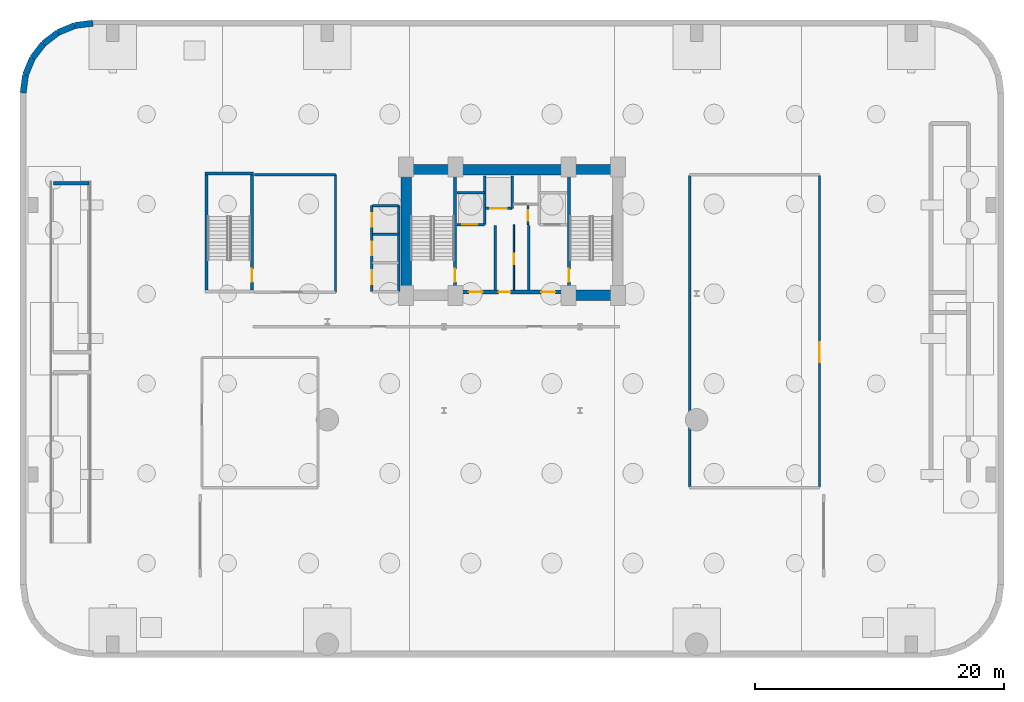
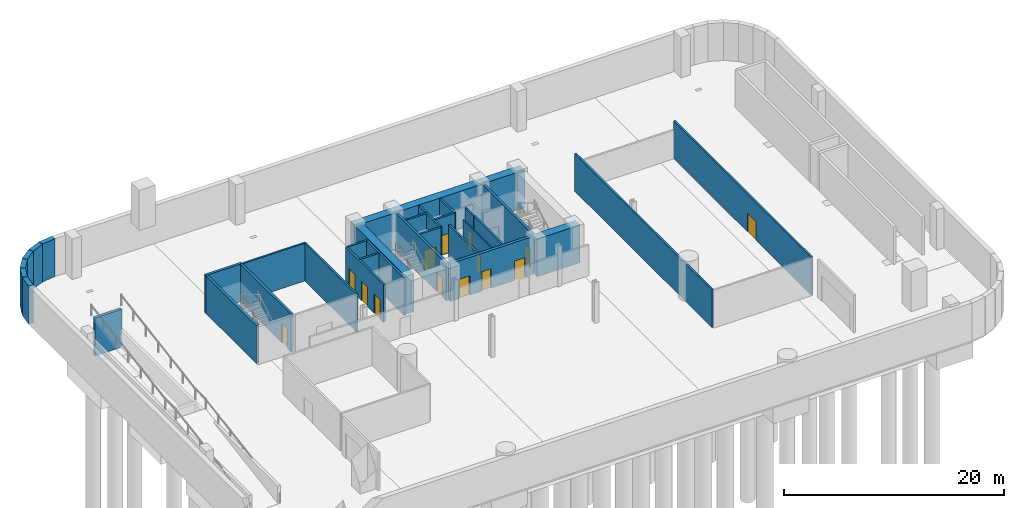
# One storey, part 3 of 8: 33 walls, 14 doors, 14 openings.
"""IFC4 building model written with IfcOpenShell, lengths in metres."""

from ifc_helpers import new_model, si_unit, direction, frame, frame_2d, origin, place, context, subcontext, project, spatial, rectangle, extrude, material, layer, layer_set, type_object, element, fill, save


model = new_model("IFC4")

# Units and contexts
model_context = context("Model", 3, precision=1e-05, world=origin(), true_north=direction((0.0, 1.0)))
body_context = subcontext(model_context, "Body", "Model", "MODEL_VIEW")
ifc_project = project(units=[si_unit("LENGTHUNIT", "METRE"), si_unit("AREAUNIT", "SQUARE_METRE"), si_unit("VOLUMEUNIT", "CUBIC_METRE"), si_unit("PLANEANGLEUNIT", "RADIAN"), si_unit("MASSUNIT", "GRAM", prefix="KILO")], contexts=[model_context])

# Site, building, storey
site_placement = place(None, origin())
site = spatial("IfcSite", under=ifc_project, at=site_placement, CompositionType="ELEMENT")
building_placement = place(site_placement, origin())
building = spatial("IfcBuilding", under=site, at=building_placement, Name="Varnelok Gate Tower", CompositionType="ELEMENT")
storey_placement = place(building_placement, frame((0.0, 0.0, -9.0)))
storey = spatial("IfcBuildingStorey", under=building, at=storey_placement, Name="B02", CompositionType="ELEMENT", Elevation=-9.0)

# Walls
ifc_material_1 = material(Name="Gypsum Plasterboard Acoustic Partition", Category="gypsum")
ifc_layer_1 = layer(ifc_material_1, 0.179931640625)
ifc_layer_set_1 = layer_set([ifc_layer_1], Name="Gypsum Plasterboard Acoustic Partition")
wall_type_1 = type_object("IfcWallType", Name="PW-CORR-180", PredefinedType="PARTITIONING", material=ifc_layer_set_1)
wall_1_placement = place(storey_placement, frame((25.050048828125, 29.02001953125, 0.0), z_axis=(0.0, 0.0, 1.0), x_axis=(0.0, 1.0, 0.0)))
element("IfcWall", 1, at=wall_1_placement, inside=storey, type_object=wall_type_1, Name="Interior Partition", PredefinedType="PARTITIONING", context=body_context, shape_type="SweptSolid", body=[
    extrude(rectangle(XDim=9.429931640625, YDim=0.179931640625, at=frame_2d((4.71484375, 0.0))), origin(), (0.0, 0.0, 1.0), 4.199951171875),
])
wall_2_placement = place(storey_placement, frame((18.550048828125, 38.449951171875, 0.0), z_axis=(0.0, 0.0, 1.0), x_axis=(1.0, 0.0, 0.0)))
element("IfcWall", 2, at=wall_2_placement, inside=storey, type_object=wall_type_1, Name="Interior Partition", PredefinedType="PARTITIONING", context=body_context, shape_type="SweptSolid", body=[
    extrude(rectangle(XDim=6.5, YDim=0.179931640625, at=frame_2d((3.25, 0.0))), origin(), (0.0, 0.0, 1.0), 4.199951171875),
])

# Wall, opening, door
wall_3_placement = place(storey_placement, frame((63.85009765625, 13.39990234375, 0.0), z_axis=(0.0, 0.0, 1.0), x_axis=(0.0, 1.0, 0.0)))
wall_3 = element("IfcWall", 3, at=wall_3_placement, inside=storey, type_object=wall_type_1, Name="Interior Partition", PredefinedType="PARTITIONING", context=body_context, shape_type="SweptSolid", body=[
    extrude(rectangle(XDim=25.0, YDim=0.179931640625, at=frame_2d((12.5, 0.0))), origin(), (0.0, 0.0, 1.0), 4.199951171875),
])
opening_1_placement = place(wall_3_placement, frame((10.0, 0.0, 0.0)))
opening_1 = element("IfcOpeningElement", 4, at=opening_1_placement, cuts=wall_3, Name="Opening D-PL", PredefinedType="OPENING", context=body_context, shape_type="SweptSolid", body=[
    extrude(rectangle(XDim=1.60009765625, YDim=2.050048828125, at=frame_2d((0.800048828125, 1.02490234375))), frame((0.0, 0.099853515625, 0.0), z_axis=(0.0, -1.0, 0.0), x_axis=(1.0, 0.0, 0.0)), (0.0, 0.0, 1.0), 0.199951171875),
])
ifc_material_2 = material(Name="Galvanized Steel Grade S350GD", Category="steel")
door_type_1 = type_object("IfcDoorType", Name="DR-PLANT-1600", OperationType="DOUBLE_DOOR_SINGLE_SWING", PredefinedType="DOOR", material=ifc_material_2)
door_1_placement = place(opening_1_placement, origin())
door_1 = element("IfcDoor", 5, at=door_1_placement, inside=storey, type_object=door_type_1, Name="B02 Chiller Plant Door", OperationType="DOUBLE_DOOR_SINGLE_SWING", OverallHeight=2.050048828125, OverallWidth=1.60009765625, PredefinedType="DOOR", context=body_context, shape_type="SweptSolid", body=[
    extrude(rectangle(XDim=1.60009765625, YDim=2.050048828125, at=frame_2d((0.800048828125, 1.02490234375))), frame((0.0, 0.02490234375, 0.0), z_axis=(0.0, -1.0, 0.0), x_axis=(1.0, 0.0, 0.0)), (0.0, 0.0, 1.0), 0.050048828125),
])
fill(opening_1, door_1)

# Wall
wall_4_placement = place(storey_placement, frame((53.449951171875, 13.39990234375, 0.0), z_axis=(0.0, 0.0, 1.0), x_axis=(0.0, 1.0, 0.0)))
element("IfcWall", 6, at=wall_4_placement, inside=storey, type_object=wall_type_1, Name="Interior Partition", PredefinedType="PARTITIONING", context=body_context, shape_type="SweptSolid", body=[
    extrude(rectangle(XDim=25.0, YDim=0.179931640625, at=frame_2d((12.5, 0.0))), origin(), (0.0, 0.0, 1.0), 4.199951171875),
])

# Wall, opening, door
ifc_layer_2 = layer(ifc_material_1, 0.125)
ifc_layer_set_2 = layer_set([ifc_layer_2], Name="Gypsum Plasterboard Acoustic Partition")
wall_type_2 = type_object("IfcWallType", Name="PW-PART-125", PredefinedType="PARTITIONING", material=ifc_layer_set_2)
wall_5_placement = place(storey_placement, frame((39.35009765625, 29.199951171875, 0.0), z_axis=(0.0, 0.0, 1.0), x_axis=(0.0, 1.0, 0.0)))
wall_5 = element("IfcWall", 7, at=wall_5_placement, inside=storey, type_object=wall_type_2, Name="Interior Partition", PredefinedType="PARTITIONING", context=body_context, shape_type="SweptSolid", body=[
    extrude(rectangle(XDim=5.219970703125, YDim=0.125, at=frame_2d((2.60986328125, 0.0))), origin(), (0.0, 0.0, 1.0), 4.199951171875),
])
opening_2_placement = place(wall_5_placement, frame((2.050048828125, 0.0, 0.0)))
opening_2 = element("IfcOpeningElement", 8, at=opening_2_placement, cuts=wall_5, Name="Opening D-RS", PredefinedType="OPENING", context=body_context, shape_type="SweptSolid", body=[
    extrude(rectangle(XDim=0.85009765625, YDim=2.050048828125, at=frame_2d((0.425048828125, 1.02490234375))), frame((0.0, 0.072509765625, 0.0), z_axis=(0.0, -1.0, 0.0), x_axis=(1.0, 0.0, 0.0)), (0.0, 0.0, 1.0), 0.14501953125),
])
door_type_2 = type_object("IfcDoorType", Name="DR-RISER-850", OperationType="NOTDEFINED", PredefinedType="DOOR", material=ifc_material_2)
door_2_placement = place(opening_2_placement, origin())
door_2 = element("IfcDoor", 9, at=door_2_placement, inside=storey, type_object=door_type_2, Name="B02 Housekeeping Linen Door", OperationType="SINGLE_SWING_RIGHT", OverallHeight=2.050048828125, OverallWidth=0.85009765625, PredefinedType="DOOR", context=body_context, shape_type="SweptSolid", body=[
    extrude(rectangle(XDim=0.85009765625, YDim=2.050048828125, at=frame_2d((0.425048828125, 1.02490234375))), frame((0.0, 0.02490234375, 0.0), z_axis=(0.0, -1.0, 0.0), x_axis=(1.0, 0.0, 0.0)), (0.0, 0.0, 1.0), 0.050048828125),
])
fill(opening_2, door_2)

ifc_layer_3 = layer(ifc_material_1, 0.14990234375)
ifc_layer_set_3 = layer_set([ifc_layer_3], Name="Gypsum Plasterboard Acoustic Partition")
wall_type_3 = type_object("IfcWallType", Name="PW-PART-150", PredefinedType="PARTITIONING", material=ifc_layer_set_3)
wall_6_placement = place(storey_placement, frame((40.47998046875, 34.43994140625, 0.0), z_axis=(0.0, 0.0, 1.0), x_axis=(0.0, 1.0, 0.0)))
wall_6 = element("IfcWall", 10, at=wall_6_placement, inside=storey, type_object=wall_type_3, Name="B02 Telecoms Closet West Wall", PredefinedType="PARTITIONING", context=body_context, shape_type="SweptSolid", body=[
    extrude(rectangle(XDim=1.52001953125, YDim=0.14990234375, at=frame_2d((0.760009765625, 0.0))), origin(), (0.0, 0.0, 1.0), 4.199951171875),
])
opening_3_placement = place(wall_6_placement, frame((0.320068359375, 0.0, 0.0)))
opening_3 = element("IfcOpeningElement", 11, at=opening_3_placement, cuts=wall_6, Name="Opening D-RS", PredefinedType="OPENING", context=body_context, shape_type="SweptSolid", body=[
    extrude(rectangle(XDim=0.85009765625, YDim=2.050048828125, at=frame_2d((0.425048828125, 1.02490234375))), frame((0.0, 0.0849609375, 0.0), z_axis=(0.0, -1.0, 0.0), x_axis=(1.0, 0.0, 0.0)), (0.0, 0.0, 1.0), 0.169921875),
])
door_3_placement = place(opening_3_placement, origin())
door_3 = element("IfcDoor", 12, at=door_3_placement, inside=storey, type_object=door_type_2, Name="B02 Telecoms Closet Door", OperationType="SINGLE_SWING_LEFT", OverallHeight=2.050048828125, OverallWidth=0.85009765625, PredefinedType="DOOR", context=body_context, shape_type="SweptSolid", body=[
    extrude(rectangle(XDim=0.85009765625, YDim=2.050048828125, at=frame_2d((0.425048828125, 1.02490234375))), frame((0.0, 0.02490234375, 0.0), z_axis=(0.0, -1.0, 0.0), x_axis=(1.0, 0.0, 0.0)), (0.0, 0.0, 1.0), 0.050048828125),
])
fill(opening_3, door_3)

# Walls
ifc_material_3 = material(Name="Concrete C35/45", Category="concrete")
ifc_layer_4 = layer(ifc_material_3, 0.199951171875)
ifc_layer_set_4 = layer_set([ifc_layer_4], Name="Concrete C35/45")
wall_type_4 = type_object("IfcWallType", Name="PW-SHAFT-200", PredefinedType="PARTITIONING", material=ifc_layer_set_4)
for number, where, z_axis, x_axis, name in (
    (13, (37.860107421875, 29.199951171875, 0.0), (0.0, 0.0, 1.0), (0.0, 1.0, 0.0), "B02 West FF Lobby Rated Wall"),
    (14, (40.5400390625, 29.199951171875, 0.0), (0.0, 0.0, 1.0), (0.0, 1.0, 0.0), "B02 East FF Lobby Rated Wall"),
):
    element("IfcWall", number, at=place(storey_placement, frame(where, z_axis=z_axis, x_axis=x_axis)), inside=storey, type_object=wall_type_4, Name=name, PredefinedType="PARTITIONING", context=body_context, shape_type="SweptSolid", body=[
        extrude(rectangle(XDim=5.179931640625, YDim=0.199951171875, at=frame_2d((2.58984375, 0.0))), origin(), (0.0, 0.0, 1.0), 4.199951171875),
    ])

# Wall, opening, door
wall_7_placement = place(storey_placement, frame((34.800048828125, 34.43994140625, 0.0), z_axis=(0.0, 0.0, 1.0), x_axis=(1.0, 0.0, 0.0)))
wall_7 = element("IfcWall", 15, at=wall_7_placement, inside=storey, type_object=wall_type_4, Name="B02 FF1 Shaft Front Wall", PredefinedType="PARTITIONING", context=body_context, shape_type="SweptSolid", body=[
    extrude(rectangle(XDim=2.179931640625, YDim=0.199951171875, at=frame_2d((1.08984375, 0.0))), origin(), (0.0, 0.0, 1.0), 4.199951171875),
])
opening_4_placement = place(wall_7_placement, frame((0.419921875, 0.0, 0.0)))
opening_4 = element("IfcOpeningElement", 16, at=opening_4_placement, cuts=wall_7, Name="Opening LD-FF1", PredefinedType="OPENING", context=body_context, shape_type="SweptSolid", body=[
    extrude(rectangle(XDim=1.199951171875, YDim=2.199951171875, at=frame_2d((0.60009765625, 1.10009765625))), frame((0.0, 0.10986328125, 0.0), z_axis=(0.0, -1.0, 0.0), x_axis=(1.0, 0.0, 0.0)), (0.0, 0.0, 1.0), 0.219970703125),
])
door_type_3 = type_object("IfcDoorType", Name="DR-LIFT-FF1200", OperationType="SLIDING_TO_LEFT", PredefinedType="DOOR", material=ifc_material_2)
door_4_placement = place(opening_4_placement, origin())
door_4 = element("IfcDoor", 17, at=door_4_placement, inside=storey, type_object=door_type_3, Name="B02 Firefighting Lift Landing Door LD-FF1", OperationType="SLIDING_TO_LEFT", OverallHeight=2.199951171875, OverallWidth=1.199951171875, PredefinedType="DOOR", context=body_context, shape_type="SweptSolid", body=[
    extrude(rectangle(XDim=1.199951171875, YDim=2.199951171875, at=frame_2d((0.60009765625, 1.10009765625))), frame((0.0, 0.02490234375, 0.0), z_axis=(0.0, -1.0, 0.0), x_axis=(1.0, 0.0, 0.0)), (0.0, 0.0, 1.0), 0.050048828125),
])
fill(opening_4, door_4)

# Walls
wall_8_placement = place(storey_placement, frame((34.800048828125, 36.97998046875, 0.0), z_axis=(0.0, 0.0, 1.0), x_axis=(1.0, 0.0, 0.0)))
element("IfcWall", 18, at=wall_8_placement, inside=storey, type_object=wall_type_4, Name="B02 FF1 Shaft North Wall", PredefinedType="PARTITIONING", context=body_context, shape_type="SweptSolid", body=[
    extrude(rectangle(XDim=2.179931640625, YDim=0.199951171875, at=frame_2d((1.08984375, 0.0))), origin(), (0.0, 0.0, 1.0), 4.199951171875),
])
wall_9_placement = place(storey_placement, frame((37.0, 34.43994140625, 0.0), z_axis=(0.0, 0.0, 1.0), x_axis=(0.0, 1.0, 0.0)))
element("IfcWall", 19, at=wall_9_placement, inside=storey, type_object=wall_type_4, Name="B02 FF1 Shaft Side Wall", PredefinedType="PARTITIONING", context=body_context, shape_type="SweptSolid", body=[
    extrude(rectangle(XDim=3.900146484375, YDim=0.199951171875, at=frame_2d((1.9501953125, 0.0))), origin(), (0.0, 0.0, 1.0), 4.199951171875),
])

# Wall, opening, door
wall_10_placement = place(storey_placement, frame((37.06005859375, 35.75, 0.0), z_axis=(0.0, 0.0, 1.0), x_axis=(1.0, 0.0, 0.0)))
wall_10 = element("IfcWall", 20, at=wall_10_placement, inside=storey, type_object=wall_type_4, Name="B02 SV1 Shaft Front Wall", PredefinedType="PARTITIONING", context=body_context, shape_type="SweptSolid", body=[
    extrude(rectangle(XDim=2.119873046875, YDim=0.199951171875, at=frame_2d((1.06005859375, 0.0))), origin(), (0.0, 0.0, 1.0), 4.199951171875),
])
opening_5_placement = place(wall_10_placement, frame((0.39990234375, 0.0, 0.0)))
opening_5 = element("IfcOpeningElement", 21, at=opening_5_placement, cuts=wall_10, Name="Opening LD-SV1", PredefinedType="OPENING", context=body_context, shape_type="SweptSolid", body=[
    extrude(rectangle(XDim=1.300048828125, YDim=2.199951171875, at=frame_2d((0.64990234375, 1.10009765625))), frame((0.0, 0.10986328125, 0.0), z_axis=(0.0, -1.0, 0.0), x_axis=(1.0, 0.0, 0.0)), (0.0, 0.0, 1.0), 0.219970703125),
])
door_type_4 = type_object("IfcDoorType", Name="DR-LIFT-SV1300", OperationType="SLIDING_TO_LEFT", PredefinedType="DOOR", material=ifc_material_2)
door_5_placement = place(opening_5_placement, origin())
door_5 = element("IfcDoor", 22, at=door_5_placement, inside=storey, type_object=door_type_4, Name="B02 Service Lift Landing Door LD-SV1", OperationType="SLIDING_TO_LEFT", OverallHeight=2.199951171875, OverallWidth=1.300048828125, PredefinedType="DOOR", context=body_context, shape_type="SweptSolid", body=[
    extrude(rectangle(XDim=1.300048828125, YDim=2.199951171875, at=frame_2d((0.64990234375, 1.10009765625))), frame((0.0, 0.02490234375, 0.0), z_axis=(0.0, -1.0, 0.0), x_axis=(1.0, 0.0, 0.0)), (0.0, 0.0, 1.0), 0.050048828125),
])
fill(opening_5, door_5)

# Walls
wall_11_placement = place(storey_placement, frame((39.219970703125, 35.75, 0.0), z_axis=(0.0, 0.0, 1.0), x_axis=(0.0, 1.0, 0.0)))
element("IfcWall", 23, at=wall_11_placement, inside=storey, type_object=wall_type_4, Name="B02 SV1 Shaft East Wall", PredefinedType="PARTITIONING", context=body_context, shape_type="SweptSolid", body=[
    extrude(rectangle(XDim=2.590087890625, YDim=0.199951171875, at=frame_2d((1.294921875, 0.0))), origin(), (0.0, 0.0, 1.0), 4.199951171875),
])
wall_12_placement = place(storey_placement, frame((28.02001953125, 33.675048828125, 0.0), z_axis=(0.0, 0.0, 1.0), x_axis=(1.0, 0.0, 0.0)))
element("IfcWall", 24, at=wall_12_placement, inside=storey, type_object=wall_type_4, Name="B02 PL2 Divider", PredefinedType="PARTITIONING", context=body_context, shape_type="SweptSolid", body=[
    extrude(rectangle(XDim=2.06005859375, YDim=0.199951171875, at=frame_2d((1.030029296875, 0.0))), origin(), (0.0, 0.0, 1.0), 4.199951171875),
])
wall_13_placement = place(storey_placement, frame((28.0, 35.969970703125, 0.0), z_axis=(0.0, 0.0, 1.0), x_axis=(1.0, 0.0, 0.0)))
element("IfcWall", 25, at=wall_13_placement, inside=storey, type_object=wall_type_4, Name="B02 PL Bank North Wall", PredefinedType="PARTITIONING", context=body_context, shape_type="SweptSolid", body=[
    extrude(rectangle(XDim=2.10009765625, YDim=0.199951171875, at=frame_2d((1.050048828125, 0.0))), origin(), (0.0, 0.0, 1.0), 4.199951171875),
])
wall_14_placement = place(storey_placement, frame((30.1201171875, 29.080078125, 0.0), z_axis=(0.0, 0.0, 1.0), x_axis=(0.0, 1.0, 0.0)))
element("IfcWall", 26, at=wall_14_placement, inside=storey, type_object=wall_type_4, Name="B02 PL Bank Back Wall", PredefinedType="PARTITIONING", context=body_context, shape_type="SweptSolid", body=[
    extrude(rectangle(XDim=6.889892578125, YDim=0.199951171875, at=frame_2d((3.44482421875, 0.0))), origin(), (0.0, 0.0, 1.0), 4.199951171875),
])

# Wall, openings, doors
wall_15_placement = place(storey_placement, frame((27.9599609375, 29.080078125, 0.0), z_axis=(0.0, 0.0, 1.0), x_axis=(0.0, 1.0, 0.0)))
wall_15 = element("IfcWall", 27, at=wall_15_placement, inside=storey, type_object=wall_type_4, Name="B02 PL Bank Front Wall", PredefinedType="PARTITIONING", context=body_context, shape_type="SweptSolid", body=[
    extrude(rectangle(XDim=6.889892578125, YDim=0.199951171875, at=frame_2d((3.44482421875, 0.0))), origin(), (0.0, 0.0, 1.0), 4.199951171875),
])
opening_6_placement = place(wall_15_placement, frame((0.590087890625, 0.0, 0.0)))
opening_6 = element("IfcOpeningElement", 28, at=opening_6_placement, cuts=wall_15, Name="Opening LD-PL1", PredefinedType="OPENING", context=body_context, shape_type="SweptSolid", body=[
    extrude(rectangle(XDim=1.10009765625, YDim=2.14990234375, at=frame_2d((0.550048828125, 1.074951171875))), frame((0.0, 0.10986328125, 0.0), z_axis=(0.0, -1.0, 0.0), x_axis=(1.0, 0.0, 0.0)), (0.0, 0.0, 1.0), 0.219970703125),
])
opening_7_placement = place(wall_15_placement, frame((2.889892578125, 0.0, 0.0)))
opening_7 = element("IfcOpeningElement", 29, at=opening_7_placement, cuts=wall_15, Name="Opening LD-PL2", PredefinedType="OPENING", context=body_context, shape_type="SweptSolid", body=[
    extrude(rectangle(XDim=1.10009765625, YDim=2.14990234375, at=frame_2d((0.550048828125, 1.074951171875))), frame((0.0, 0.10986328125, 0.0), z_axis=(0.0, -1.0, 0.0), x_axis=(1.0, 0.0, 0.0)), (0.0, 0.0, 1.0), 0.219970703125),
])
opening_8_placement = place(wall_15_placement, frame((5.18994140625, 0.0, 0.0)))
opening_8 = element("IfcOpeningElement", 30, at=opening_8_placement, cuts=wall_15, Name="Opening LD-PL3", PredefinedType="OPENING", context=body_context, shape_type="SweptSolid", body=[
    extrude(rectangle(XDim=1.10009765625, YDim=2.14990234375, at=frame_2d((0.550048828125, 1.074951171875))), frame((0.0, 0.10986328125, 0.0), z_axis=(0.0, -1.0, 0.0), x_axis=(1.0, 0.0, 0.0)), (0.0, 0.0, 1.0), 0.219970703125),
])
door_type_5 = type_object("IfcDoorType", Name="DR-LIFT-PAX1100", OperationType="SLIDING_TO_LEFT", PredefinedType="DOOR", material=ifc_material_2)
door_6_placement = place(opening_6_placement, origin())
door_6 = element("IfcDoor", 31, at=door_6_placement, inside=storey, type_object=door_type_5, Name="B02 Passenger Lift Landing Door LD-PL1", OperationType="SLIDING_TO_LEFT", OverallHeight=2.14990234375, OverallWidth=1.10009765625, PredefinedType="DOOR", context=body_context, shape_type="SweptSolid", body=[
    extrude(rectangle(XDim=1.10009765625, YDim=2.14990234375, at=frame_2d((0.550048828125, 1.074951171875))), frame((0.0, 0.02490234375, 0.0), z_axis=(0.0, -1.0, 0.0), x_axis=(1.0, 0.0, 0.0)), (0.0, 0.0, 1.0), 0.050048828125),
])
fill(opening_6, door_6)
door_7_placement = place(opening_7_placement, origin())
door_7 = element("IfcDoor", 32, at=door_7_placement, inside=storey, type_object=door_type_5, Name="B02 Passenger Lift Landing Door LD-PL2", OperationType="SLIDING_TO_LEFT", OverallHeight=2.14990234375, OverallWidth=1.10009765625, PredefinedType="DOOR", context=body_context, shape_type="SweptSolid", body=[
    extrude(rectangle(XDim=1.10009765625, YDim=2.14990234375, at=frame_2d((0.550048828125, 1.074951171875))), frame((0.0, 0.02490234375, 0.0), z_axis=(0.0, -1.0, 0.0), x_axis=(1.0, 0.0, 0.0)), (0.0, 0.0, 1.0), 0.050048828125),
])
fill(opening_7, door_7)
door_8_placement = place(opening_8_placement, origin())
door_8 = element("IfcDoor", 33, at=door_8_placement, inside=storey, type_object=door_type_5, Name="B02 Passenger Lift Landing Door LD-PL3", OperationType="SLIDING_TO_LEFT", OverallHeight=2.14990234375, OverallWidth=1.10009765625, PredefinedType="DOOR", context=body_context, shape_type="SweptSolid", body=[
    extrude(rectangle(XDim=1.10009765625, YDim=2.14990234375, at=frame_2d((0.550048828125, 1.074951171875))), frame((0.0, 0.02490234375, 0.0), z_axis=(0.0, -1.0, 0.0), x_axis=(1.0, 0.0, 0.0)), (0.0, 0.0, 1.0), 0.050048828125),
])
fill(opening_8, door_8)

# Walls
ifc_material_4 = material(Name="Concrete C70/85", Category="concrete")
ifc_layer_5 = layer(ifc_material_4, 0.85009765625)
ifc_layer_set_5 = layer_set([ifc_layer_5], Name="Concrete C70/85")
wall_type_5 = type_object("IfcWallType", Name="SW-CORE-850", PredefinedType="SHEAR", material=ifc_layer_set_5)
wall_16_placement = place(storey_placement, frame((30.280029296875, 38.844970703125, 0.0), z_axis=(0.0, 0.0, 1.0), x_axis=(1.0, 0.0, 0.0)))
element("IfcWall", 34, at=wall_16_placement, inside=storey, type_object=wall_type_5, Name="B02 Rear Core North Shear Wall", PredefinedType="SHEAR", context=body_context, shape_type="SweptSolid", body=[
    extrude(rectangle(XDim=17.840087890625, YDim=0.85009765625, at=frame_2d((8.919921875, 0.0))), origin(), (0.0, 0.0, 1.0), 4.199951171875),
])
wall_17_placement = place(storey_placement, frame((30.705078125, 29.199951171875, 0.0), z_axis=(0.0, 0.0, 1.0), x_axis=(0.0, 1.0, 0.0)))
element("IfcWall", 35, at=wall_17_placement, inside=storey, type_object=wall_type_5, Name="B02 Rear Core West Shear Wall", PredefinedType="SHEAR", context=body_context, shape_type="SweptSolid", body=[
    extrude(rectangle(XDim=9.219970703125, YDim=0.85009765625, at=frame_2d((4.60986328125, 0.0))), origin(), (0.0, 0.0, 1.0), 4.199951171875),
])
wall_18_placement = place(storey_placement, frame((43.60009765625, 28.77490234375, 0.0), z_axis=(0.0, 0.0, 1.0), x_axis=(1.0, 0.0, 0.0)))
element("IfcWall", 36, at=wall_18_placement, inside=storey, type_object=wall_type_5, Name="B02 Rear Core South-East Shear Wall", PredefinedType="SHEAR", context=body_context, shape_type="SweptSolid", body=[
    extrude(rectangle(XDim=4.52001953125, YDim=0.85009765625, at=frame_2d((2.260009765625, 0.0))), origin(), (0.0, 0.0, 1.0), 4.199951171875),
])
ifc_material_5 = material(Name="Concrete C50/60", Category="concrete")
ifc_layer_6 = layer(ifc_material_5, 0.5)
ifc_layer_set_6 = layer_set([ifc_layer_6], Name="Concrete C50/60")
wall_type_6 = type_object("IfcWallType", Name="SW-RET-500", PredefinedType="SOLIDWALL", material=ifc_layer_set_6)
for number, where, z_axis, x_axis, name in (
    (37, (4.150634765625, 50.4091796875, 0.0), (0.0, 0.0, 1.0), (0.991436666421, 0.130588423975, 0.0), "B02 Perimeter Retaining Wall 23"),
    (38, (2.800048828125, 49.849609375, 0.0), (0.0, 0.0, 1.0), (0.923845840288, 0.382764762462, 0.0), "B02 Perimeter Retaining Wall 24"),
    (39, (1.64013671875, 48.959716796875, 0.0), (0.0, 0.0, 1.0), (0.793399352173, 0.608701460465, 0.0), "B02 Perimeter Retaining Wall 25"),
):
    element("IfcWall", number, at=place(storey_placement, frame(where, z_axis=z_axis, x_axis=x_axis)), inside=storey, type_object=wall_type_6, Name=name, PredefinedType="SOLIDWALL", context=body_context, shape_type="SweptSolid", body=[
        extrude(rectangle(XDim=1.4619140625, YDim=0.5, at=frame_2d((0.73095703125, 0.0))), origin(), (0.0, 0.0, 1.0), 4.199951171875),
    ])
wall_19_placement = place(storey_placement, frame((0.750244140625, 47.800048828125, 0.0), z_axis=(0.0, 0.0, 1.0), x_axis=(0.608782117751, 0.793337464833, 0.0)))
element("IfcWall", 40, at=wall_19_placement, inside=storey, type_object=wall_type_6, Name="B02 Perimeter Retaining Wall 26", PredefinedType="SOLIDWALL", context=body_context, shape_type="SweptSolid", body=[
    extrude(rectangle(XDim=1.461669921875, YDim=0.5, at=frame_2d((0.73095703125, 0.0))), origin(), (0.0, 0.0, 1.0), 4.199951171875),
])
for number, where, z_axis, x_axis, name in (
    (41, (0.19091796875, 46.449462890625, 0.0), (0.0, 0.0, 1.0), (0.382622215492, 0.923904886994, 0.0), "B02 Perimeter Retaining Wall 27"),
    (42, (0.0, 45.0, 0.0), (0.0, 0.0, 1.0), (0.130588423975, 0.991436666421, 0.0), "B02 Perimeter Retaining Wall 28"),
):
    element("IfcWall", number, at=place(storey_placement, frame(where, z_axis=z_axis, x_axis=x_axis)), inside=storey, type_object=wall_type_6, Name=name, PredefinedType="SOLIDWALL", context=body_context, shape_type="SweptSolid", body=[
        extrude(rectangle(XDim=1.4619140625, YDim=0.5, at=frame_2d((0.73095703125, 0.0))), origin(), (0.0, 0.0, 1.0), 4.199951171875),
    ])

# Wall, opening, door
ifc_material_6 = material(Name="Concrete C60/75", Category="concrete")
ifc_layer_7 = layer(ifc_material_6, 0.25)
ifc_layer_set_7 = layer_set([ifc_layer_7], Name="Concrete C60/75")
wall_type_7 = type_object("IfcWallType", Name="SW-SHAFT-250", PredefinedType="SHEAR", material=ifc_layer_set_7)
wall_20_placement = place(storey_placement, frame((34.639892578125, 29.199951171875, 0.0), z_axis=(0.0, 0.0, 1.0), x_axis=(0.0, 1.0, 0.0)))
wall_20 = element("IfcWall", 43, at=wall_20_placement, inside=storey, type_object=wall_type_7, Name="B02 Stair ST-1 East Shear Wall", PredefinedType="SHEAR", context=body_context, shape_type="SweptSolid", body=[
    extrude(rectangle(XDim=9.219970703125, YDim=0.25, at=frame_2d((4.60986328125, 0.0))), origin(), (0.0, 0.0, 1.0), 4.199951171875),
])
opening_9_placement = place(wall_20_placement, frame((0.64990234375, 0.0, 0.0)))
opening_9 = element("IfcOpeningElement", 44, at=opening_9_placement, cuts=wall_20, Name="Opening D-ST", PredefinedType="OPENING", context=body_context, shape_type="SweptSolid", body=[
    extrude(rectangle(XDim=1.050048828125, YDim=2.14990234375, at=frame_2d((0.52490234375, 1.074951171875))), frame((0.0, 0.135009765625, 0.0), z_axis=(0.0, -1.0, 0.0), x_axis=(1.0, 0.0, 0.0)), (0.0, 0.0, 1.0), 0.27001953125),
])
door_type_6 = type_object("IfcDoorType", Name="DR-STAIR-1050", OperationType="NOTDEFINED", PredefinedType="DOOR", material=ifc_material_2)
door_9_placement = place(opening_9_placement, origin())
door_9 = element("IfcDoor", 45, at=door_9_placement, inside=storey, type_object=door_type_6, Name="B02 Exit Stair ST-1 Fire Door", OperationType="SINGLE_SWING_LEFT", OverallHeight=2.14990234375, OverallWidth=1.050048828125, PredefinedType="DOOR", context=body_context, shape_type="SweptSolid", body=[
    extrude(rectangle(XDim=1.050048828125, YDim=2.14990234375, at=frame_2d((0.52490234375, 1.074951171875))), frame((0.0, 0.02490234375, 0.0), z_axis=(0.0, -1.0, 0.0), x_axis=(1.0, 0.0, 0.0)), (0.0, 0.0, 1.0), 0.050048828125),
])
fill(opening_9, door_9)

wall_21_placement = place(storey_placement, frame((43.760009765625, 29.199951171875, 0.0), z_axis=(0.0, 0.0, 1.0), x_axis=(0.0, 1.0, 0.0)))
wall_21 = element("IfcWall", 46, at=wall_21_placement, inside=storey, type_object=wall_type_7, Name="B02 Stair ST-2 West Shear Wall", PredefinedType="SHEAR", context=body_context, shape_type="SweptSolid", body=[
    extrude(rectangle(XDim=9.219970703125, YDim=0.25, at=frame_2d((4.60986328125, 0.0))), origin(), (0.0, 0.0, 1.0), 4.199951171875),
])
opening_10_placement = place(wall_21_placement, frame((0.64990234375, 0.0, 0.0)))
opening_10 = element("IfcOpeningElement", 47, at=opening_10_placement, cuts=wall_21, Name="Opening D-ST", PredefinedType="OPENING", context=body_context, shape_type="SweptSolid", body=[
    extrude(rectangle(XDim=1.050048828125, YDim=2.14990234375, at=frame_2d((0.52490234375, 1.074951171875))), frame((0.0, 0.135009765625, 0.0), z_axis=(0.0, -1.0, 0.0), x_axis=(1.0, 0.0, 0.0)), (0.0, 0.0, 1.0), 0.27001953125),
])
door_10_placement = place(opening_10_placement, origin())
door_10 = element("IfcDoor", 48, at=door_10_placement, inside=storey, type_object=door_type_6, Name="B02 Exit Stair ST-2 Fire Door", OperationType="SINGLE_SWING_RIGHT", OverallHeight=2.14990234375, OverallWidth=1.050048828125, PredefinedType="DOOR", context=body_context, shape_type="SweptSolid", body=[
    extrude(rectangle(XDim=1.050048828125, YDim=2.14990234375, at=frame_2d((0.52490234375, 1.074951171875))), frame((0.0, 0.02490234375, 0.0), z_axis=(0.0, -1.0, 0.0), x_axis=(1.0, 0.0, 0.0)), (0.0, 0.0, 1.0), 0.050048828125),
])
fill(opening_10, door_10)

# Wall
wall_22_placement = place(storey_placement, frame((14.705078125, 29.199951171875, 0.0), z_axis=(0.0, 0.0, 1.0), x_axis=(0.0, 1.0, 0.0)))
element("IfcWall", 49, at=wall_22_placement, inside=storey, type_object=wall_type_7, Name="B02 Stair ST-3 West Shear Wall", PredefinedType="SHEAR", context=body_context, shape_type="SweptSolid", body=[
    extrude(rectangle(XDim=9.219970703125, YDim=0.25, at=frame_2d((4.60986328125, 0.0))), origin(), (0.0, 0.0, 1.0), 4.199951171875),
])

# Wall, opening, door
wall_23_placement = place(storey_placement, frame((18.344970703125, 29.199951171875, 0.0), z_axis=(0.0, 0.0, 1.0), x_axis=(0.0, 1.0, 0.0)))
wall_23 = element("IfcWall", 50, at=wall_23_placement, inside=storey, type_object=wall_type_7, Name="B02 Stair ST-3 East Shear Wall", PredefinedType="SHEAR", context=body_context, shape_type="SweptSolid", body=[
    extrude(rectangle(XDim=9.219970703125, YDim=0.25, at=frame_2d((4.60986328125, 0.0))), origin(), (0.0, 0.0, 1.0), 4.199951171875),
])
opening_11_placement = place(wall_23_placement, frame((0.64990234375, 0.0, 0.0)))
opening_11 = element("IfcOpeningElement", 51, at=opening_11_placement, cuts=wall_23, Name="Opening D-ST", PredefinedType="OPENING", context=body_context, shape_type="SweptSolid", body=[
    extrude(rectangle(XDim=1.050048828125, YDim=2.14990234375, at=frame_2d((0.52490234375, 1.074951171875))), frame((0.0, 0.135009765625, 0.0), z_axis=(0.0, -1.0, 0.0), x_axis=(1.0, 0.0, 0.0)), (0.0, 0.0, 1.0), 0.27001953125),
])
door_11_placement = place(opening_11_placement, origin())
door_11 = element("IfcDoor", 52, at=door_11_placement, inside=storey, type_object=door_type_6, Name="B02 Podium Stair ST-3 Fire Door", OperationType="SINGLE_SWING_LEFT", OverallHeight=2.14990234375, OverallWidth=1.050048828125, PredefinedType="DOOR", context=body_context, shape_type="SweptSolid", body=[
    extrude(rectangle(XDim=1.050048828125, YDim=2.14990234375, at=frame_2d((0.52490234375, 1.074951171875))), frame((0.0, 0.02490234375, 0.0), z_axis=(0.0, -1.0, 0.0), x_axis=(1.0, 0.0, 0.0)), (0.0, 0.0, 1.0), 0.050048828125),
])
fill(opening_11, door_11)

# Walls
wall_24_placement = place(storey_placement, frame((14.580078125, 38.544921875, 0.0), z_axis=(0.0, 0.0, 1.0), x_axis=(1.0, 0.0, 0.0)))
element("IfcWall", 53, at=wall_24_placement, inside=storey, type_object=wall_type_7, Name="B02 Stair ST-3 North Shear Wall", PredefinedType="SHEAR", context=body_context, shape_type="SweptSolid", body=[
    extrude(rectangle(XDim=3.889892578125, YDim=0.25, at=frame_2d((1.94482421875, 0.0))), origin(), (0.0, 0.0, 1.0), 4.199951171875),
])
ifc_layer_8 = layer(ifc_material_6, 0.300048828125)
ifc_layer_set_8 = layer_set([ifc_layer_8], Name="Concrete C60/75")
wall_type_8 = type_object("IfcWallType", Name="SW-SHAFT-300", PredefinedType="SHEAR", material=ifc_layer_set_8)
wall_25_placement = place(storey_placement, frame((2.449951171875, 37.75, 0.0), z_axis=(0.0, 0.0, 1.0), x_axis=(1.0, 0.0, 0.0)))
element("IfcWall", 54, at=wall_25_placement, inside=storey, type_object=wall_type_8, Name="B02 Vehicle Ramp Top Header Support Wall", PredefinedType="SHEAR", context=body_context, shape_type="SweptSolid", body=[
    extrude(rectangle(XDim=2.85009765625, YDim=0.300048828125, at=frame_2d((1.425048828125, 0.0))), origin(), (0.0, 0.0, 1.0), 4.199951171875),
])

# Wall, openings, doors
wall_26_placement = place(storey_placement, frame((34.800048828125, 29.050048828125, 0.0), z_axis=(0.0, 0.0, 1.0), x_axis=(1.0, 0.0, 0.0)))
wall_26 = element("IfcWall", 55, at=wall_26_placement, inside=storey, type_object=wall_type_8, Name="B02 Rear Core Central Lobby Shear Wall", PredefinedType="SHEAR", context=body_context, shape_type="SweptSolid", body=[
    extrude(rectangle(XDim=8.800048828125, YDim=0.300048828125, at=frame_2d((4.39990234375, 0.0))), origin(), (0.0, 0.0, 1.0), 4.199951171875),
])
opening_12_placement = place(wall_26_placement, frame((0.949951171875, 0.0, 0.0)))
opening_12 = element("IfcOpeningElement", 56, at=opening_12_placement, cuts=wall_26, Name="Opening D-FF", PredefinedType="OPENING", context=body_context, shape_type="SweptSolid", body=[
    extrude(rectangle(XDim=1.10009765625, YDim=2.14990234375, at=frame_2d((0.550048828125, 1.074951171875))), frame((0.0, 0.159912109375, 0.0), z_axis=(0.0, -1.0, 0.0), x_axis=(1.0, 0.0, 0.0)), (0.0, 0.0, 1.0), 0.320068359375),
])
opening_13_placement = place(wall_26_placement, frame((6.75, 0.0, 0.0)))
opening_13 = element("IfcOpeningElement", 57, at=opening_13_placement, cuts=wall_26, Name="Opening D-FF", PredefinedType="OPENING", context=body_context, shape_type="SweptSolid", body=[
    extrude(rectangle(XDim=1.10009765625, YDim=2.14990234375, at=frame_2d((0.550048828125, 1.074951171875))), frame((0.0, 0.159912109375, 0.0), z_axis=(0.0, -1.0, 0.0), x_axis=(1.0, 0.0, 0.0)), (0.0, 0.0, 1.0), 0.320068359375),
])
opening_14_placement = place(wall_26_placement, frame((3.320068359375, 0.0, 0.0)))
opening_14 = element("IfcOpeningElement", 58, at=opening_14_placement, cuts=wall_26, Name="Opening D-CR", PredefinedType="OPENING", context=body_context, shape_type="SweptSolid", body=[
    extrude(rectangle(XDim=0.949951171875, YDim=2.14990234375, at=frame_2d((0.47509765625, 1.074951171875))), frame((0.0, 0.159912109375, 0.0), z_axis=(0.0, -1.0, 0.0), x_axis=(1.0, 0.0, 0.0)), (0.0, 0.0, 1.0), 0.320068359375),
])
door_type_7 = type_object("IfcDoorType", Name="DR-CORR-950", OperationType="NOTDEFINED", PredefinedType="DOOR", material=ifc_material_2)
door_12_placement = place(opening_14_placement, origin())
door_12 = element("IfcDoor", 59, at=door_12_placement, inside=storey, type_object=door_type_7, Name="B02 Core Service Passage Door", OperationType="SINGLE_SWING_LEFT", OverallHeight=2.14990234375, OverallWidth=0.949951171875, PredefinedType="DOOR", context=body_context, shape_type="SweptSolid", body=[
    extrude(rectangle(XDim=0.949951171875, YDim=2.14990234375, at=frame_2d((0.47509765625, 1.074951171875))), frame((0.0, 0.02490234375, 0.0), z_axis=(0.0, -1.0, 0.0), x_axis=(1.0, 0.0, 0.0)), (0.0, 0.0, 1.0), 0.050048828125),
])
fill(opening_14, door_12)
door_type_8 = type_object("IfcDoorType", Name="DR-FFLOB-1100", OperationType="NOTDEFINED", PredefinedType="DOOR", material=ifc_material_2)
door_13_placement = place(opening_12_placement, origin())
door_13 = element("IfcDoor", 60, at=door_13_placement, inside=storey, type_object=door_type_8, Name="B02 West Firefighting Lobby Fire Door", OperationType="SINGLE_SWING_RIGHT", OverallHeight=2.14990234375, OverallWidth=1.10009765625, PredefinedType="DOOR", context=body_context, shape_type="SweptSolid", body=[
    extrude(rectangle(XDim=1.10009765625, YDim=2.14990234375, at=frame_2d((0.550048828125, 1.074951171875))), frame((0.0, 0.02490234375, 0.0), z_axis=(0.0, -1.0, 0.0), x_axis=(1.0, 0.0, 0.0)), (0.0, 0.0, 1.0), 0.050048828125),
])
fill(opening_12, door_13)
door_14_placement = place(opening_13_placement, origin())
door_14 = element("IfcDoor", 61, at=door_14_placement, inside=storey, type_object=door_type_8, Name="B02 East Firefighting Lobby Fire Door", OperationType="SINGLE_SWING_LEFT", OverallHeight=2.14990234375, OverallWidth=1.10009765625, PredefinedType="DOOR", context=body_context, shape_type="SweptSolid", body=[
    extrude(rectangle(XDim=1.10009765625, YDim=2.14990234375, at=frame_2d((0.550048828125, 1.074951171875))), frame((0.0, 0.02490234375, 0.0), z_axis=(0.0, -1.0, 0.0), x_axis=(1.0, 0.0, 0.0)), (0.0, 0.0, 1.0), 0.050048828125),
])
fill(opening_13, door_14)

save(model, "model.ifc")
